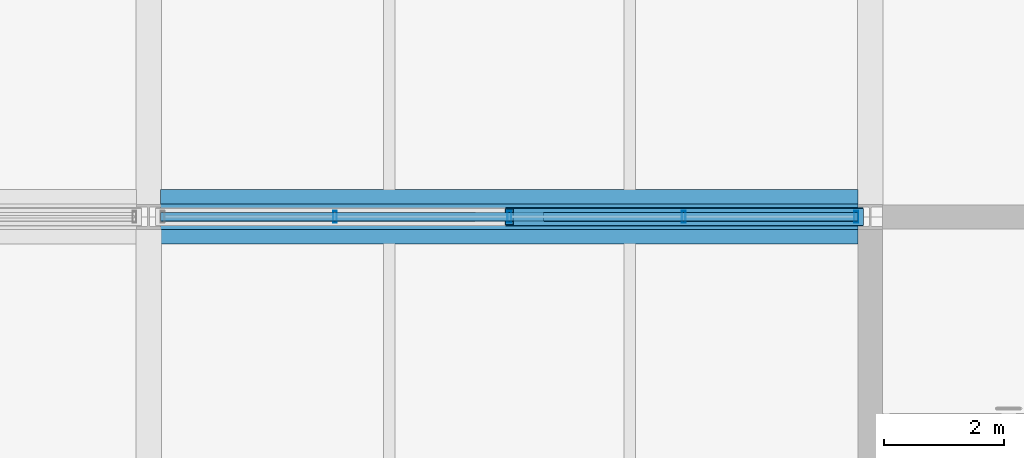
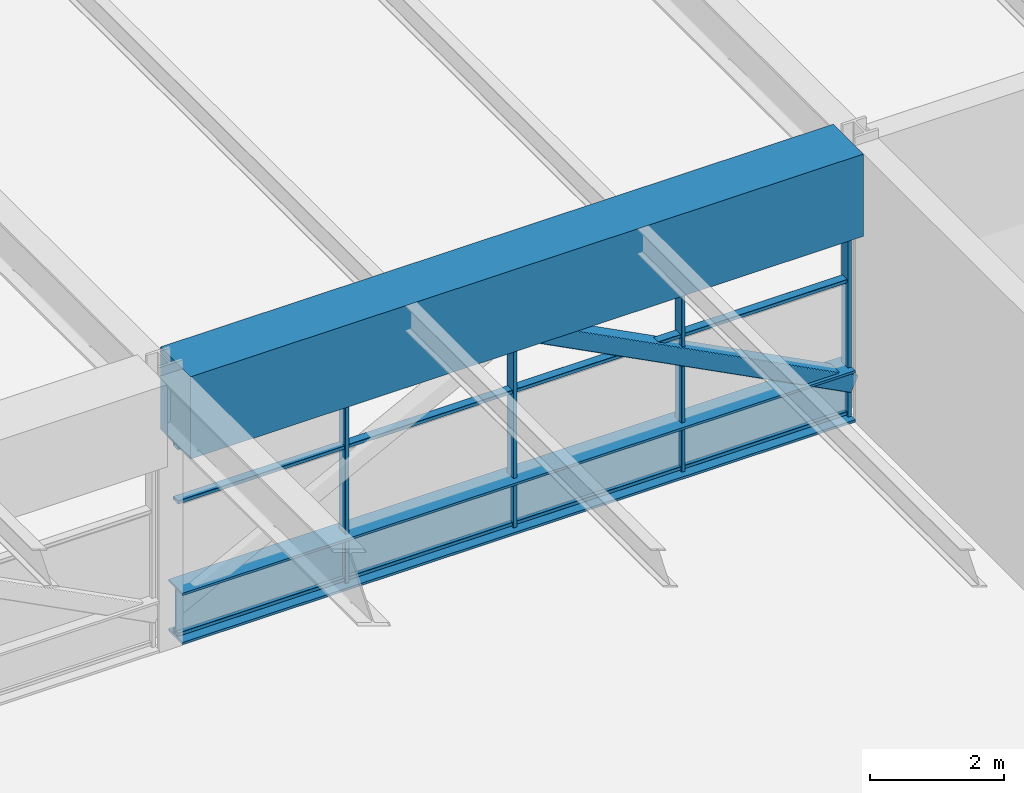
# One storey, part 26 of 42: 9 members, 1 beam, 1 element without a shape of its own.
"""IFC4 building model written with IfcOpenShell, lengths in metres."""

from ifc_helpers import new_model, si_unit, direction, frame, origin, origin_2d, place, context, subcontext, project, spatial, rectangle, hollow_rectangle, i_section, extrude, material, material_profile, profile_set, type_object, element, aggregate, save


model = new_model("IFC4")

# Units and contexts
model_context = context("Model", 3, precision=1e-05, world=origin(), true_north=direction((0.0, 1.0)))
body_context = subcontext(model_context, "Body", "Model", "MODEL_VIEW")
ifc_project = project(units=[si_unit("LENGTHUNIT", "METRE"), si_unit("AREAUNIT", "SQUARE_METRE"), si_unit("VOLUMEUNIT", "CUBIC_METRE"), si_unit("PLANEANGLEUNIT", "RADIAN"), si_unit("MASSUNIT", "GRAM", prefix="KILO")], contexts=[model_context])

# Site, building, storey
site_placement = place(None, origin())
site = spatial("IfcSite", under=ifc_project, at=site_placement, CompositionType="ELEMENT")
building_placement = place(site_placement, origin())
building = spatial("IfcBuilding", under=site, at=building_placement, Name="Girod Span Mobility Hub", CompositionType="ELEMENT")
storey_placement = place(building_placement, frame((0.0, 0.0, 32.39990234375)))
storey = spatial("IfcBuildingStorey", under=building, at=storey_placement, Name="L08", CompositionType="ELEMENT", Elevation=32.39990234375)

# Beam
ifc_material_1 = material(Name="Concrete C50/60", Category="concrete")
ifc_material_profile_1 = material_profile(ifc_material_1, rectangle(XDim=0.89990234375, YDim=1.5, at=origin_2d()), Name="TG-900X1500")
ifc_profile_set_1 = profile_set([ifc_material_profile_1], Name="Concrete C50/60")
beam_type = type_object("IfcBeamType", Name="BM-TG-900X1500", PredefinedType="T_BEAM", material=ifc_profile_set_1)
beam_placement = place(storey_placement, frame((96.199951171875, 69.0, 4.2900390625), z_axis=(1.0, 0.0, 0.0), x_axis=(0.0, 1.0, 0.0)))
element("IfcBeam", 1, at=beam_placement, inside=storey, type_object=beam_type, Name="Girder 9-10/F L08", PredefinedType="T_BEAM", context=body_context, shape_type="SweptSolid", body=[
    extrude(rectangle(XDim=0.89990234375, YDim=1.5, at=origin_2d()), origin(), (0.0, 0.0, 1.0), 11.60009765625),
])

# Curtain wall, members
ifc_material_2 = material(Name="Thermally Broken Anodised Aluminium", Category="aluminium")
curtain_wall_type = type_object("IfcCurtainWallType", Name="CW-1160X354", PredefinedType="USERDEFINED", material=ifc_material_2)
curtain_wall_placement = place(storey_placement, origin())
curtain_wall = element("IfcCurtainWall", 2, at=curtain_wall_placement, inside=storey, type_object=curtain_wall_type, Name="Unitised Curtain Wall CW-L08-N09 L08", ObjectType="UNITISED CURTAIN WALL", PredefinedType="USERDEFINED")
ifc_material_3 = material(Name="Thermally Broken Anodised Aluminium", Category="aluminium")
ifc_material_profile_2 = material_profile(ifc_material_3, hollow_rectangle(XDim=0.199951171875, YDim=0.06494140625, WallThickness=0.00390625, InnerFilletRadius=0.00390625, OuterFilletRadius=0.008056640625, at=origin_2d()), Name="CW-ML-65X200")
ifc_profile_set_2 = profile_set([ifc_material_profile_2], Name="Thermally Broken Anodised Aluminium")
member_type_1 = type_object("IfcMemberType", Name="CWM-ML-1", PredefinedType="MULLION", material=ifc_profile_set_2)
member_1_placement = place(storey_placement, frame((99.1005859375, 69.0, 0.0), z_axis=(0.0, 0.0, 1.0), x_axis=(0.0, 1.0, 0.0)))
member_1 = element("IfcMember", 3, at=member_1_placement, type_object=member_type_1, Name="Curtain Wall Mullion CW-L08-N09-M1", PredefinedType="MULLION", context=body_context, shape_type="SweptSolid", body=[
    extrude(hollow_rectangle(XDim=0.199951171875, YDim=0.06494140625, WallThickness=0.00390625, InnerFilletRadius=0.00390625, OuterFilletRadius=0.008056640625, at=origin_2d()), origin(), (0.0, 0.0, 1.0), 3.5400390625),
])
member_2_placement = place(storey_placement, frame((102.0, 69.0, 0.0), z_axis=(0.0, 0.0, 1.0), x_axis=(0.0, 1.0, 0.0)))
member_2 = element("IfcMember", 4, at=member_2_placement, type_object=member_type_1, Name="Curtain Wall Mullion CW-L08-N09-M2", PredefinedType="MULLION", context=body_context, shape_type="SweptSolid", body=[
    extrude(hollow_rectangle(XDim=0.199951171875, YDim=0.06494140625, WallThickness=0.00390625, InnerFilletRadius=0.00390625, OuterFilletRadius=0.008056640625, at=origin_2d()), origin(), (0.0, 0.0, 1.0), 3.5400390625),
])
member_3_placement = place(storey_placement, frame((104.8994140625, 69.0, 0.0), z_axis=(0.0, 0.0, 1.0), x_axis=(0.0, 1.0, 0.0)))
member_3 = element("IfcMember", 5, at=member_3_placement, type_object=member_type_1, Name="Curtain Wall Mullion CW-L08-N09-M3", PredefinedType="MULLION", context=body_context, shape_type="SweptSolid", body=[
    extrude(hollow_rectangle(XDim=0.199951171875, YDim=0.06494140625, WallThickness=0.00390625, InnerFilletRadius=0.00390625, OuterFilletRadius=0.008056640625, at=origin_2d()), origin(), (0.0, 0.0, 1.0), 3.5400390625),
])
member_4_placement = place(storey_placement, frame((107.76708984375, 69.0, 0.0), z_axis=(0.0, 0.0, 1.0), x_axis=(0.0, 1.0, 0.0)))
member_4 = element("IfcMember", 6, at=member_4_placement, type_object=member_type_1, Name="Curtain Wall Mullion CW-L08-N09-M4", PredefinedType="MULLION", context=body_context, shape_type="SweptSolid", body=[
    extrude(hollow_rectangle(XDim=0.199951171875, YDim=0.06494140625, WallThickness=0.00390625, InnerFilletRadius=0.00390625, OuterFilletRadius=0.008056640625, at=origin_2d()), origin(), (0.0, 0.0, 1.0), 3.5400390625),
])
ifc_material_4 = material(Name="Thermally Broken Anodised Aluminium", Category="aluminium")
ifc_material_profile_3 = material_profile(ifc_material_4, hollow_rectangle(XDim=0.14990234375, YDim=0.06494140625, WallThickness=0.00390625, InnerFilletRadius=0.00390625, OuterFilletRadius=0.008056640625, at=origin_2d()), Name="CW-TR-65X150")
ifc_profile_set_3 = profile_set([ifc_material_profile_3], Name="Thermally Broken Anodised Aluminium")
member_type_2 = type_object("IfcMemberType", Name="CWM-TR-1", PredefinedType="USERDEFINED", material=ifc_profile_set_3)
member_5_placement = place(storey_placement, frame((96.200927734375, 69.0, 0.107666015625), z_axis=(1.0, 0.0, 0.0), x_axis=(0.0, 1.0, 0.0)))
member_5 = element("IfcMember", 7, at=member_5_placement, type_object=member_type_2, Name="Curtain Wall Transom CW-L08-N09-T1", ObjectType="TRANSOM", PredefinedType="USERDEFINED", context=body_context, shape_type="SweptSolid", body=[
    extrude(hollow_rectangle(XDim=0.14990234375, YDim=0.06494140625, WallThickness=0.00390625, InnerFilletRadius=0.00390625, OuterFilletRadius=0.008056640625, at=origin_2d()), origin(), (0.0, 0.0, 1.0), 11.59814453125),
])
member_6_placement = place(storey_placement, frame((96.200927734375, 69.0, 2.516357421875), z_axis=(1.0, 0.0, 0.0), x_axis=(0.0, 1.0, 0.0)))
member_6 = element("IfcMember", 8, at=member_6_placement, type_object=member_type_2, Name="Curtain Wall Transom CW-L08-N09-T2", ObjectType="TRANSOM", PredefinedType="USERDEFINED", context=body_context, shape_type="SweptSolid", body=[
    extrude(hollow_rectangle(XDim=0.14990234375, YDim=0.06494140625, WallThickness=0.00390625, InnerFilletRadius=0.00390625, OuterFilletRadius=0.008056640625, at=origin_2d()), origin(), (0.0, 0.0, 1.0), 11.59814453125),
])
member_7_placement = place(storey_placement, frame((96.200927734375, 69.0, 3.507568359375), z_axis=(1.0, 0.0, 0.0), x_axis=(0.0, 1.0, 0.0)))
member_7 = element("IfcMember", 9, at=member_7_placement, type_object=member_type_2, Name="Curtain Wall Transom CW-L08-N09-T3", ObjectType="TRANSOM", PredefinedType="USERDEFINED", context=body_context, shape_type="SweptSolid", body=[
    extrude(hollow_rectangle(XDim=0.14990234375, YDim=0.06494140625, WallThickness=0.00390625, InnerFilletRadius=0.00390625, OuterFilletRadius=0.008056640625, at=origin_2d()), origin(), (0.0, 0.0, 1.0), 11.59814453125),
])
aggregate(curtain_wall, [member_1, member_2, member_3, member_4, member_5, member_6, member_7])

# Members
ifc_material_5 = material(Name="Steel HSS A500 Grade C", Category="steel")
ifc_material_profile_4 = material_profile(ifc_material_5, hollow_rectangle(XDim=0.304931640625, YDim=0.304931640625, WallThickness=0.014892578125, InnerFilletRadius=0.014892578125, OuterFilletRadius=0.029541015625, at=origin_2d()), Name="HSS305X305X16")
ifc_profile_set_4 = profile_set([ifc_material_profile_4], Name="Steel HSS A500 Grade C")
member_type_3 = type_object("IfcMemberType", Name="MB-BR-HSS305", PredefinedType="BRACE", material=ifc_profile_set_4)
member_8_placement = place(storey_placement, frame((107.81689453125, 69.0, 0.650146484375), z_axis=(-0.888138427159, 0.0, 0.459576037457), x_axis=(0.0, -1.0, 0.0)))
element("IfcMember", 10, at=member_8_placement, inside=storey, type_object=member_type_3, Name="Warren Transfer Truss Web Diagonal Y=69 9-R", PredefinedType="BRACE", context=body_context, shape_type="SweptSolid", body=[
    extrude(hollow_rectangle(XDim=0.304931640625, YDim=0.304931640625, WallThickness=0.014892578125, InnerFilletRadius=0.014892578125, OuterFilletRadius=0.029541015625, at=origin_2d()), origin(), (0.0, 0.0, 1.0), 6.549560546875),
])
ifc_material_6 = material(Name="Steel A992 Grade 50", Category="steel")
ifc_material_profile_5 = material_profile(ifc_material_6, i_section(OverallWidth=0.423095703125, OverallDepth=0.93994140625, WebThickness=0.02392578125, FlangeThickness=0.042724609375, FilletRadius=0.02392578125, at=origin_2d()), Name="W36X302")
ifc_profile_set_5 = profile_set([ifc_material_profile_5], Name="Steel A992 Grade 50")
member_type_4 = type_object("IfcMemberType", Name="MB-CH-W36X302", PredefinedType="CHORD", material=ifc_profile_set_5)
member_9_placement = place(storey_placement, frame((96.199951171875, 69.0, 0.47998046875), z_axis=(1.0, 0.0, 0.0), x_axis=(0.0, 1.0, 0.0)))
element("IfcMember", 11, at=member_9_placement, inside=storey, type_object=member_type_4, Name="Warren Transfer Truss Bottom Chord Y=69 Bay 9", PredefinedType="CHORD", context=body_context, shape_type="SweptSolid", body=[
    extrude(i_section(OverallWidth=0.423095703125, OverallDepth=0.93994140625, WebThickness=0.02392578125, FlangeThickness=0.042724609375, FilletRadius=0.02392578125, at=origin_2d()), origin(), (0.0, 0.0, 1.0), 11.60009765625),
])

save(model, "model.ifc")
